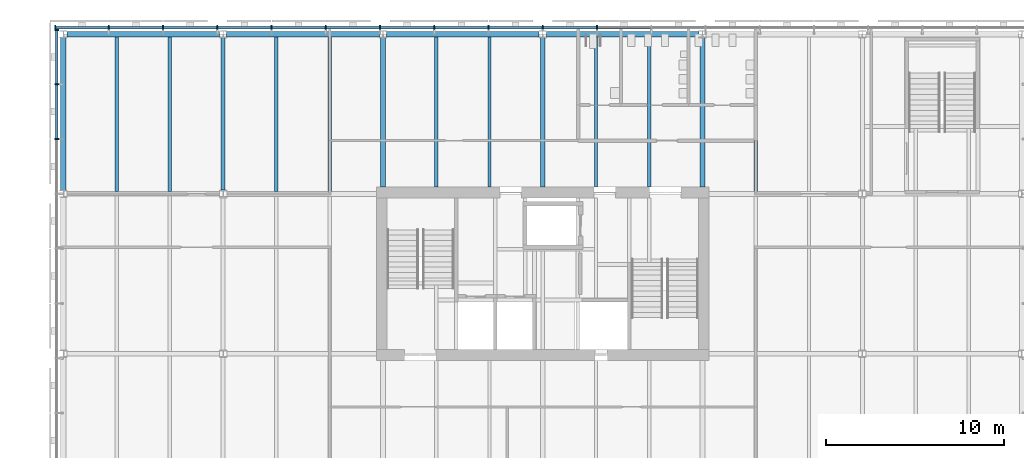
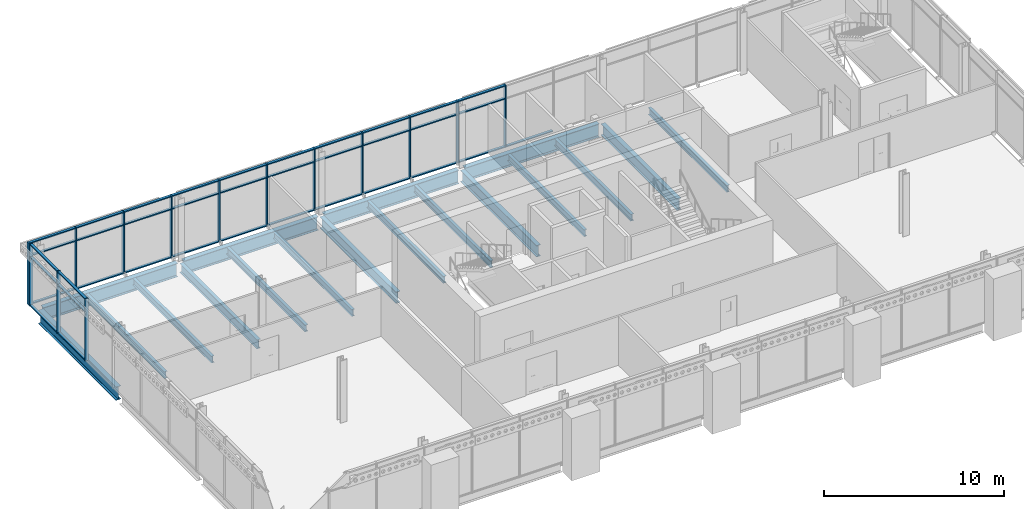
# One storey, part 51 of 123: 51 members, 18 beams, 2 elements without a shape of their own.
"""IFC4 building model written with IfcOpenShell, lengths in metres."""

from ifc_helpers import new_model, si_unit, direction, frame, origin, origin_2d, place, context, subcontext, project, spatial, rectangle, i_section, extrude, material, material_profile, profile_set, type_object, element, aggregate, save


model = new_model("IFC4")

# Units and contexts
model_context = context("Model", 3, precision=1e-05, world=origin(), true_north=direction((0.0, 1.0)))
body_context = subcontext(model_context, "Body", "Model", "MODEL_VIEW")
ifc_project = project(units=[si_unit("LENGTHUNIT", "METRE"), si_unit("AREAUNIT", "SQUARE_METRE"), si_unit("VOLUMEUNIT", "CUBIC_METRE"), si_unit("PLANEANGLEUNIT", "RADIAN"), si_unit("MASSUNIT", "GRAM", prefix="KILO")], contexts=[model_context])

# Site, building, storey
site_placement = place(None, origin())
site = spatial("IfcSite", under=ifc_project, at=site_placement, CompositionType="ELEMENT")
building_placement = place(site_placement, origin())
building = spatial("IfcBuilding", under=site, at=building_placement, Name="Baradari Gate Terminus", CompositionType="ELEMENT")
storey_placement = place(building_placement, frame((0.0, 0.0, 7.5)))
storey = spatial("IfcBuildingStorey", under=building, at=storey_placement, Name="L01", CompositionType="ELEMENT", Elevation=7.5)

# Curtain wall, members
ifc_material_1 = material(Name="Aluminium 6063-T6", Category="aluminium")
curtain_wall_type = type_object("IfcCurtainWallType", Name="Curtain wall CW-9 block gallery storey", PredefinedType="NOTDEFINED", material=ifc_material_1)
curtain_wall_1_placement = place(storey_placement, origin())
curtain_wall_1 = element("IfcCurtainWall", 1, at=curtain_wall_1_placement, inside=storey, type_object=curtain_wall_type, Name="Curtain wall CW-9 Operations block N face L01", PredefinedType="NOTDEFINED")
ifc_material_2 = material(Name="Aluminium 6063-T6", Category="aluminium")
ifc_material_profile_1 = material_profile(ifc_material_2, rectangle(XDim=0.22509765625, YDim=0.070068359375, at=origin_2d()), Name="CM-9 70X225")
ifc_profile_set_1 = profile_set([ifc_material_profile_1], Name="Aluminium 6063-T6")
member_type_1 = type_object("IfcMemberType", Name="Curtain wall mullion CM-9 70x225", PredefinedType="MULLION", material=ifc_profile_set_1)
member_1_placement = place(storey_placement, frame((8.5400390625, 144.382568359375, 0.0), z_axis=(0.0, 0.0, 1.0), x_axis=(0.0, 1.0, 0.0)))
member_1 = element("IfcMember", 2, at=member_1_placement, type_object=member_type_1, Name="CW-9 mullion 1", PredefinedType="MULLION", context=body_context, shape_type="SweptSolid", body=[
    extrude(rectangle(XDim=0.22509765625, YDim=0.070068359375, at=origin_2d()), origin(), (0.0, 0.0, 1.0), 4.199951171875),
])
member_2_placement = place(storey_placement, frame((11.56005859375, 144.382568359375, 0.0), z_axis=(0.0, 0.0, 1.0), x_axis=(0.0, 1.0, 0.0)))
member_2 = element("IfcMember", 3, at=member_2_placement, type_object=member_type_1, Name="CW-9 mullion 2", PredefinedType="MULLION", context=body_context, shape_type="SweptSolid", body=[
    extrude(rectangle(XDim=0.22509765625, YDim=0.070068359375, at=origin_2d()), origin(), (0.0, 0.0, 1.0), 4.199951171875),
])
member_3_placement = place(storey_placement, frame((14.614990234375, 144.382568359375, 0.0), z_axis=(0.0, 0.0, 1.0), x_axis=(0.0, 1.0, 0.0)))
member_3 = element("IfcMember", 4, at=member_3_placement, type_object=member_type_1, Name="CW-9 mullion 3", PredefinedType="MULLION", context=body_context, shape_type="SweptSolid", body=[
    extrude(rectangle(XDim=0.22509765625, YDim=0.070068359375, at=origin_2d()), origin(), (0.0, 0.0, 1.0), 4.199951171875),
])
member_4_placement = place(storey_placement, frame((17.669921875, 144.382568359375, 0.0), z_axis=(0.0, 0.0, 1.0), x_axis=(0.0, 1.0, 0.0)))
member_4 = element("IfcMember", 5, at=member_4_placement, type_object=member_type_1, Name="CW-9 mullion 4", PredefinedType="MULLION", context=body_context, shape_type="SweptSolid", body=[
    extrude(rectangle(XDim=0.22509765625, YDim=0.070068359375, at=origin_2d()), origin(), (0.0, 0.0, 1.0), 4.199951171875),
])
member_5_placement = place(storey_placement, frame((20.72509765625, 144.382568359375, 0.0), z_axis=(0.0, 0.0, 1.0), x_axis=(0.0, 1.0, 0.0)))
member_5 = element("IfcMember", 6, at=member_5_placement, type_object=member_type_1, Name="CW-9 mullion 5", PredefinedType="MULLION", context=body_context, shape_type="SweptSolid", body=[
    extrude(rectangle(XDim=0.22509765625, YDim=0.070068359375, at=origin_2d()), origin(), (0.0, 0.0, 1.0), 4.199951171875),
])
member_6_placement = place(storey_placement, frame((23.780029296875, 144.382568359375, 0.0), z_axis=(0.0, 0.0, 1.0), x_axis=(0.0, 1.0, 0.0)))
member_6 = element("IfcMember", 7, at=member_6_placement, type_object=member_type_1, Name="CW-9 mullion 6", PredefinedType="MULLION", context=body_context, shape_type="SweptSolid", body=[
    extrude(rectangle(XDim=0.22509765625, YDim=0.070068359375, at=origin_2d()), origin(), (0.0, 0.0, 1.0), 4.199951171875),
])
member_7_placement = place(storey_placement, frame((26.8349609375, 144.382568359375, 0.0), z_axis=(0.0, 0.0, 1.0), x_axis=(0.0, 1.0, 0.0)))
member_7 = element("IfcMember", 8, at=member_7_placement, type_object=member_type_1, Name="CW-9 mullion 7", PredefinedType="MULLION", context=body_context, shape_type="SweptSolid", body=[
    extrude(rectangle(XDim=0.22509765625, YDim=0.070068359375, at=origin_2d()), origin(), (0.0, 0.0, 1.0), 4.199951171875),
])
member_8_placement = place(storey_placement, frame((29.889892578125, 144.382568359375, 0.0), z_axis=(0.0, 0.0, 1.0), x_axis=(0.0, 1.0, 0.0)))
member_8 = element("IfcMember", 9, at=member_8_placement, type_object=member_type_1, Name="CW-9 mullion 8", PredefinedType="MULLION", context=body_context, shape_type="SweptSolid", body=[
    extrude(rectangle(XDim=0.22509765625, YDim=0.070068359375, at=origin_2d()), origin(), (0.0, 0.0, 1.0), 4.199951171875),
])
member_9_placement = place(storey_placement, frame((32.945068359375, 144.382568359375, 0.0), z_axis=(0.0, 0.0, 1.0), x_axis=(0.0, 1.0, 0.0)))
member_9 = element("IfcMember", 10, at=member_9_placement, type_object=member_type_1, Name="CW-9 mullion 9", PredefinedType="MULLION", context=body_context, shape_type="SweptSolid", body=[
    extrude(rectangle(XDim=0.22509765625, YDim=0.070068359375, at=origin_2d()), origin(), (0.0, 0.0, 1.0), 4.199951171875),
])
member_10_placement = place(storey_placement, frame((36.0, 144.382568359375, 0.0), z_axis=(0.0, 0.0, 1.0), x_axis=(0.0, 1.0, 0.0)))
member_10 = element("IfcMember", 11, at=member_10_placement, type_object=member_type_1, Name="CW-9 mullion 10", PredefinedType="MULLION", context=body_context, shape_type="SweptSolid", body=[
    extrude(rectangle(XDim=0.22509765625, YDim=0.070068359375, at=origin_2d()), origin(), (0.0, 0.0, 1.0), 4.199951171875),
])
member_11_placement = place(storey_placement, frame((39.054931640625, 144.382568359375, 0.0), z_axis=(0.0, 0.0, 1.0), x_axis=(0.0, 1.0, 0.0)))
member_11 = element("IfcMember", 12, at=member_11_placement, type_object=member_type_1, Name="CW-9 mullion 11", PredefinedType="MULLION", context=body_context, shape_type="SweptSolid", body=[
    extrude(rectangle(XDim=0.22509765625, YDim=0.070068359375, at=origin_2d()), origin(), (0.0, 0.0, 1.0), 4.199951171875),
])

curtain_wall_2_placement = place(storey_placement, origin())
curtain_wall_2 = element("IfcCurtainWall", 13, at=curtain_wall_2_placement, inside=storey, type_object=curtain_wall_type, Name="Curtain wall CW-9 Operations block W face L01", PredefinedType="NOTDEFINED")
member_12_placement = place(storey_placement, frame((8.617431640625, 138.094482421875, 0.0), z_axis=(0.0, 0.0, 1.0), x_axis=(-1.0, 0.0, 0.0)))
member_12 = element("IfcMember", 14, at=member_12_placement, type_object=member_type_1, Name="CW-9 mullion 8", PredefinedType="MULLION", context=body_context, shape_type="SweptSolid", body=[
    extrude(rectangle(XDim=0.22509765625, YDim=0.070068359375, at=origin_2d()), origin(), (0.0, 0.0, 1.0), 4.199951171875),
])
member_13_placement = place(storey_placement, frame((8.617431640625, 141.18212890625, 0.0), z_axis=(0.0, 0.0, 1.0), x_axis=(-1.0, 0.0, 0.0)))
member_13 = element("IfcMember", 15, at=member_13_placement, type_object=member_type_1, Name="CW-9 mullion 9", PredefinedType="MULLION", context=body_context, shape_type="SweptSolid", body=[
    extrude(rectangle(XDim=0.22509765625, YDim=0.070068359375, at=origin_2d()), origin(), (0.0, 0.0, 1.0), 4.199951171875),
])
member_14_placement = place(storey_placement, frame((8.617431640625, 144.235107421875, 0.0), z_axis=(0.0, 0.0, 1.0), x_axis=(-1.0, 0.0, 0.0)))
member_14 = element("IfcMember", 16, at=member_14_placement, type_object=member_type_1, Name="CW-9 mullion 10", PredefinedType="MULLION", context=body_context, shape_type="SweptSolid", body=[
    extrude(rectangle(XDim=0.22509765625, YDim=0.070068359375, at=origin_2d()), origin(), (0.0, 0.0, 1.0), 4.199951171875),
])

# Member
ifc_material_3 = material(Name="Aluminium 6063-T6", Category="aluminium")
ifc_material_profile_2 = material_profile(ifc_material_3, rectangle(XDim=0.1650390625, YDim=0.070068359375, at=origin_2d()), Name="CT-9 70X165")
ifc_profile_set_2 = profile_set([ifc_material_profile_2], Name="Aluminium 6063-T6")
member_type_2 = type_object("IfcMemberType", Name="Curtain wall transom CT-9 70x165", PredefinedType="USERDEFINED", material=ifc_profile_set_2)
member_15_placement = place(storey_placement, frame((8.574951171875, 144.382568359375, 0.034912109375), z_axis=(1.0, 0.0, 0.0), x_axis=(0.0, 1.0, 0.0)))
member_15 = element("IfcMember", 17, at=member_15_placement, type_object=member_type_2, Name="CW-9 transom 1.1", ObjectType="TRANSOM", PredefinedType="USERDEFINED", context=body_context, shape_type="SweptSolid", body=[
    extrude(rectangle(XDim=0.1650390625, YDim=0.070068359375, at=origin_2d()), origin(), (0.0, 0.0, 1.0), 2.949951171875),
])

member_16_placement = place(storey_placement, frame((8.574951171875, 144.382568359375, 3.300048828125), z_axis=(1.0, 0.0, 0.0), x_axis=(0.0, 1.0, 0.0)))
member_16 = element("IfcMember", 18, at=member_16_placement, type_object=member_type_2, Name="CW-9 transom 1.2", ObjectType="TRANSOM", PredefinedType="USERDEFINED", context=body_context, shape_type="SweptSolid", body=[
    extrude(rectangle(XDim=0.1650390625, YDim=0.070068359375, at=origin_2d()), origin(), (0.0, 0.0, 1.0), 2.949951171875),
])

member_17_placement = place(storey_placement, frame((8.574951171875, 144.382568359375, 4.1650390625), z_axis=(1.0, 0.0, 0.0), x_axis=(0.0, 1.0, 0.0)))
member_17 = element("IfcMember", 19, at=member_17_placement, type_object=member_type_2, Name="CW-9 transom 1.3", ObjectType="TRANSOM", PredefinedType="USERDEFINED", context=body_context, shape_type="SweptSolid", body=[
    extrude(rectangle(XDim=0.1650390625, YDim=0.070068359375, at=origin_2d()), origin(), (0.0, 0.0, 1.0), 2.949951171875),
])

member_18_placement = place(storey_placement, frame((11.594970703125, 144.382568359375, 0.034912109375), z_axis=(1.0, 0.0, 0.0), x_axis=(0.0, 1.0, 0.0)))
member_18 = element("IfcMember", 20, at=member_18_placement, type_object=member_type_2, Name="CW-9 transom 2.1", ObjectType="TRANSOM", PredefinedType="USERDEFINED", context=body_context, shape_type="SweptSolid", body=[
    extrude(rectangle(XDim=0.1650390625, YDim=0.070068359375, at=origin_2d()), origin(), (0.0, 0.0, 1.0), 2.985107421875),
])

member_19_placement = place(storey_placement, frame((11.594970703125, 144.382568359375, 3.300048828125), z_axis=(1.0, 0.0, 0.0), x_axis=(0.0, 1.0, 0.0)))
member_19 = element("IfcMember", 21, at=member_19_placement, type_object=member_type_2, Name="CW-9 transom 2.2", ObjectType="TRANSOM", PredefinedType="USERDEFINED", context=body_context, shape_type="SweptSolid", body=[
    extrude(rectangle(XDim=0.1650390625, YDim=0.070068359375, at=origin_2d()), origin(), (0.0, 0.0, 1.0), 2.985107421875),
])

member_20_placement = place(storey_placement, frame((11.594970703125, 144.382568359375, 4.1650390625), z_axis=(1.0, 0.0, 0.0), x_axis=(0.0, 1.0, 0.0)))
member_20 = element("IfcMember", 22, at=member_20_placement, type_object=member_type_2, Name="CW-9 transom 2.3", ObjectType="TRANSOM", PredefinedType="USERDEFINED", context=body_context, shape_type="SweptSolid", body=[
    extrude(rectangle(XDim=0.1650390625, YDim=0.070068359375, at=origin_2d()), origin(), (0.0, 0.0, 1.0), 2.985107421875),
])

member_21_placement = place(storey_placement, frame((14.64990234375, 144.382568359375, 0.034912109375), z_axis=(1.0, 0.0, 0.0), x_axis=(0.0, 1.0, 0.0)))
member_21 = element("IfcMember", 23, at=member_21_placement, type_object=member_type_2, Name="CW-9 transom 3.1", ObjectType="TRANSOM", PredefinedType="USERDEFINED", context=body_context, shape_type="SweptSolid", body=[
    extrude(rectangle(XDim=0.1650390625, YDim=0.070068359375, at=origin_2d()), origin(), (0.0, 0.0, 1.0), 2.985107421875),
])

member_22_placement = place(storey_placement, frame((14.64990234375, 144.382568359375, 3.300048828125), z_axis=(1.0, 0.0, 0.0), x_axis=(0.0, 1.0, 0.0)))
member_22 = element("IfcMember", 24, at=member_22_placement, type_object=member_type_2, Name="CW-9 transom 3.2", ObjectType="TRANSOM", PredefinedType="USERDEFINED", context=body_context, shape_type="SweptSolid", body=[
    extrude(rectangle(XDim=0.1650390625, YDim=0.070068359375, at=origin_2d()), origin(), (0.0, 0.0, 1.0), 2.985107421875),
])

member_23_placement = place(storey_placement, frame((14.64990234375, 144.382568359375, 4.1650390625), z_axis=(1.0, 0.0, 0.0), x_axis=(0.0, 1.0, 0.0)))
member_23 = element("IfcMember", 25, at=member_23_placement, type_object=member_type_2, Name="CW-9 transom 3.3", ObjectType="TRANSOM", PredefinedType="USERDEFINED", context=body_context, shape_type="SweptSolid", body=[
    extrude(rectangle(XDim=0.1650390625, YDim=0.070068359375, at=origin_2d()), origin(), (0.0, 0.0, 1.0), 2.985107421875),
])

member_24_placement = place(storey_placement, frame((17.705078125, 144.382568359375, 0.034912109375), z_axis=(1.0, 0.0, 0.0), x_axis=(0.0, 1.0, 0.0)))
member_24 = element("IfcMember", 26, at=member_24_placement, type_object=member_type_2, Name="CW-9 transom 4.1", ObjectType="TRANSOM", PredefinedType="USERDEFINED", context=body_context, shape_type="SweptSolid", body=[
    extrude(rectangle(XDim=0.1650390625, YDim=0.070068359375, at=origin_2d()), origin(), (0.0, 0.0, 1.0), 2.98486328125),
])

member_25_placement = place(storey_placement, frame((17.705078125, 144.382568359375, 3.300048828125), z_axis=(1.0, 0.0, 0.0), x_axis=(0.0, 1.0, 0.0)))
member_25 = element("IfcMember", 27, at=member_25_placement, type_object=member_type_2, Name="CW-9 transom 4.2", ObjectType="TRANSOM", PredefinedType="USERDEFINED", context=body_context, shape_type="SweptSolid", body=[
    extrude(rectangle(XDim=0.1650390625, YDim=0.070068359375, at=origin_2d()), origin(), (0.0, 0.0, 1.0), 2.98486328125),
])

member_26_placement = place(storey_placement, frame((17.705078125, 144.382568359375, 4.1650390625), z_axis=(1.0, 0.0, 0.0), x_axis=(0.0, 1.0, 0.0)))
member_26 = element("IfcMember", 28, at=member_26_placement, type_object=member_type_2, Name="CW-9 transom 4.3", ObjectType="TRANSOM", PredefinedType="USERDEFINED", context=body_context, shape_type="SweptSolid", body=[
    extrude(rectangle(XDim=0.1650390625, YDim=0.070068359375, at=origin_2d()), origin(), (0.0, 0.0, 1.0), 2.98486328125),
])

member_27_placement = place(storey_placement, frame((20.760009765625, 144.382568359375, 0.034912109375), z_axis=(1.0, 0.0, 0.0), x_axis=(0.0, 1.0, 0.0)))
member_27 = element("IfcMember", 29, at=member_27_placement, type_object=member_type_2, Name="CW-9 transom 5.1", ObjectType="TRANSOM", PredefinedType="USERDEFINED", context=body_context, shape_type="SweptSolid", body=[
    extrude(rectangle(XDim=0.1650390625, YDim=0.070068359375, at=origin_2d()), origin(), (0.0, 0.0, 1.0), 2.985107421875),
])

member_28_placement = place(storey_placement, frame((20.760009765625, 144.382568359375, 3.300048828125), z_axis=(1.0, 0.0, 0.0), x_axis=(0.0, 1.0, 0.0)))
member_28 = element("IfcMember", 30, at=member_28_placement, type_object=member_type_2, Name="CW-9 transom 5.2", ObjectType="TRANSOM", PredefinedType="USERDEFINED", context=body_context, shape_type="SweptSolid", body=[
    extrude(rectangle(XDim=0.1650390625, YDim=0.070068359375, at=origin_2d()), origin(), (0.0, 0.0, 1.0), 2.985107421875),
])

member_29_placement = place(storey_placement, frame((20.760009765625, 144.382568359375, 4.1650390625), z_axis=(1.0, 0.0, 0.0), x_axis=(0.0, 1.0, 0.0)))
member_29 = element("IfcMember", 31, at=member_29_placement, type_object=member_type_2, Name="CW-9 transom 5.3", ObjectType="TRANSOM", PredefinedType="USERDEFINED", context=body_context, shape_type="SweptSolid", body=[
    extrude(rectangle(XDim=0.1650390625, YDim=0.070068359375, at=origin_2d()), origin(), (0.0, 0.0, 1.0), 2.985107421875),
])

member_30_placement = place(storey_placement, frame((23.81494140625, 144.382568359375, 0.034912109375), z_axis=(1.0, 0.0, 0.0), x_axis=(0.0, 1.0, 0.0)))
member_30 = element("IfcMember", 32, at=member_30_placement, type_object=member_type_2, Name="CW-9 transom 6.1", ObjectType="TRANSOM", PredefinedType="USERDEFINED", context=body_context, shape_type="SweptSolid", body=[
    extrude(rectangle(XDim=0.1650390625, YDim=0.070068359375, at=origin_2d()), origin(), (0.0, 0.0, 1.0), 2.985107421875),
])

member_31_placement = place(storey_placement, frame((23.81494140625, 144.382568359375, 3.300048828125), z_axis=(1.0, 0.0, 0.0), x_axis=(0.0, 1.0, 0.0)))
member_31 = element("IfcMember", 33, at=member_31_placement, type_object=member_type_2, Name="CW-9 transom 6.2", ObjectType="TRANSOM", PredefinedType="USERDEFINED", context=body_context, shape_type="SweptSolid", body=[
    extrude(rectangle(XDim=0.1650390625, YDim=0.070068359375, at=origin_2d()), origin(), (0.0, 0.0, 1.0), 2.985107421875),
])

member_32_placement = place(storey_placement, frame((23.81494140625, 144.382568359375, 4.1650390625), z_axis=(1.0, 0.0, 0.0), x_axis=(0.0, 1.0, 0.0)))
member_32 = element("IfcMember", 34, at=member_32_placement, type_object=member_type_2, Name="CW-9 transom 6.3", ObjectType="TRANSOM", PredefinedType="USERDEFINED", context=body_context, shape_type="SweptSolid", body=[
    extrude(rectangle(XDim=0.1650390625, YDim=0.070068359375, at=origin_2d()), origin(), (0.0, 0.0, 1.0), 2.985107421875),
])

member_33_placement = place(storey_placement, frame((26.8701171875, 144.382568359375, 0.034912109375), z_axis=(1.0, 0.0, 0.0), x_axis=(0.0, 1.0, 0.0)))
member_33 = element("IfcMember", 35, at=member_33_placement, type_object=member_type_2, Name="CW-9 transom 7.1", ObjectType="TRANSOM", PredefinedType="USERDEFINED", context=body_context, shape_type="SweptSolid", body=[
    extrude(rectangle(XDim=0.1650390625, YDim=0.070068359375, at=origin_2d()), origin(), (0.0, 0.0, 1.0), 2.98486328125),
])

member_34_placement = place(storey_placement, frame((26.8701171875, 144.382568359375, 3.300048828125), z_axis=(1.0, 0.0, 0.0), x_axis=(0.0, 1.0, 0.0)))
member_34 = element("IfcMember", 36, at=member_34_placement, type_object=member_type_2, Name="CW-9 transom 7.2", ObjectType="TRANSOM", PredefinedType="USERDEFINED", context=body_context, shape_type="SweptSolid", body=[
    extrude(rectangle(XDim=0.1650390625, YDim=0.070068359375, at=origin_2d()), origin(), (0.0, 0.0, 1.0), 2.98486328125),
])

member_35_placement = place(storey_placement, frame((26.8701171875, 144.382568359375, 4.1650390625), z_axis=(1.0, 0.0, 0.0), x_axis=(0.0, 1.0, 0.0)))
member_35 = element("IfcMember", 37, at=member_35_placement, type_object=member_type_2, Name="CW-9 transom 7.3", ObjectType="TRANSOM", PredefinedType="USERDEFINED", context=body_context, shape_type="SweptSolid", body=[
    extrude(rectangle(XDim=0.1650390625, YDim=0.070068359375, at=origin_2d()), origin(), (0.0, 0.0, 1.0), 2.98486328125),
])

member_36_placement = place(storey_placement, frame((29.925048828125, 144.382568359375, 0.034912109375), z_axis=(1.0, 0.0, 0.0), x_axis=(0.0, 1.0, 0.0)))
member_36 = element("IfcMember", 38, at=member_36_placement, type_object=member_type_2, Name="CW-9 transom 8.1", ObjectType="TRANSOM", PredefinedType="USERDEFINED", context=body_context, shape_type="SweptSolid", body=[
    extrude(rectangle(XDim=0.1650390625, YDim=0.070068359375, at=origin_2d()), origin(), (0.0, 0.0, 1.0), 2.98486328125),
])

member_37_placement = place(storey_placement, frame((29.925048828125, 144.382568359375, 3.300048828125), z_axis=(1.0, 0.0, 0.0), x_axis=(0.0, 1.0, 0.0)))
member_37 = element("IfcMember", 39, at=member_37_placement, type_object=member_type_2, Name="CW-9 transom 8.2", ObjectType="TRANSOM", PredefinedType="USERDEFINED", context=body_context, shape_type="SweptSolid", body=[
    extrude(rectangle(XDim=0.1650390625, YDim=0.070068359375, at=origin_2d()), origin(), (0.0, 0.0, 1.0), 2.98486328125),
])

member_38_placement = place(storey_placement, frame((29.925048828125, 144.382568359375, 4.1650390625), z_axis=(1.0, 0.0, 0.0), x_axis=(0.0, 1.0, 0.0)))
member_38 = element("IfcMember", 40, at=member_38_placement, type_object=member_type_2, Name="CW-9 transom 8.3", ObjectType="TRANSOM", PredefinedType="USERDEFINED", context=body_context, shape_type="SweptSolid", body=[
    extrude(rectangle(XDim=0.1650390625, YDim=0.070068359375, at=origin_2d()), origin(), (0.0, 0.0, 1.0), 2.98486328125),
])

member_39_placement = place(storey_placement, frame((32.97998046875, 144.382568359375, 0.034912109375), z_axis=(1.0, 0.0, 0.0), x_axis=(0.0, 1.0, 0.0)))
member_39 = element("IfcMember", 41, at=member_39_placement, type_object=member_type_2, Name="CW-9 transom 9.1", ObjectType="TRANSOM", PredefinedType="USERDEFINED", context=body_context, shape_type="SweptSolid", body=[
    extrude(rectangle(XDim=0.1650390625, YDim=0.070068359375, at=origin_2d()), origin(), (0.0, 0.0, 1.0), 2.985107421875),
])

member_40_placement = place(storey_placement, frame((32.97998046875, 144.382568359375, 3.300048828125), z_axis=(1.0, 0.0, 0.0), x_axis=(0.0, 1.0, 0.0)))
member_40 = element("IfcMember", 42, at=member_40_placement, type_object=member_type_2, Name="CW-9 transom 9.2", ObjectType="TRANSOM", PredefinedType="USERDEFINED", context=body_context, shape_type="SweptSolid", body=[
    extrude(rectangle(XDim=0.1650390625, YDim=0.070068359375, at=origin_2d()), origin(), (0.0, 0.0, 1.0), 2.985107421875),
])

member_41_placement = place(storey_placement, frame((32.97998046875, 144.382568359375, 4.1650390625), z_axis=(1.0, 0.0, 0.0), x_axis=(0.0, 1.0, 0.0)))
member_41 = element("IfcMember", 43, at=member_41_placement, type_object=member_type_2, Name="CW-9 transom 9.3", ObjectType="TRANSOM", PredefinedType="USERDEFINED", context=body_context, shape_type="SweptSolid", body=[
    extrude(rectangle(XDim=0.1650390625, YDim=0.070068359375, at=origin_2d()), origin(), (0.0, 0.0, 1.0), 2.985107421875),
])

member_42_placement = place(storey_placement, frame((36.034912109375, 144.382568359375, 0.034912109375), z_axis=(1.0, 0.0, 0.0), x_axis=(0.0, 1.0, 0.0)))
member_42 = element("IfcMember", 44, at=member_42_placement, type_object=member_type_2, Name="CW-9 transom 10.1", ObjectType="TRANSOM", PredefinedType="USERDEFINED", context=body_context, shape_type="SweptSolid", body=[
    extrude(rectangle(XDim=0.1650390625, YDim=0.070068359375, at=origin_2d()), origin(), (0.0, 0.0, 1.0), 2.985107421875),
])

member_43_placement = place(storey_placement, frame((36.034912109375, 144.382568359375, 3.300048828125), z_axis=(1.0, 0.0, 0.0), x_axis=(0.0, 1.0, 0.0)))
member_43 = element("IfcMember", 45, at=member_43_placement, type_object=member_type_2, Name="CW-9 transom 10.2", ObjectType="TRANSOM", PredefinedType="USERDEFINED", context=body_context, shape_type="SweptSolid", body=[
    extrude(rectangle(XDim=0.1650390625, YDim=0.070068359375, at=origin_2d()), origin(), (0.0, 0.0, 1.0), 2.985107421875),
])

member_44_placement = place(storey_placement, frame((36.034912109375, 144.382568359375, 4.1650390625), z_axis=(1.0, 0.0, 0.0), x_axis=(0.0, 1.0, 0.0)))
member_44 = element("IfcMember", 46, at=member_44_placement, type_object=member_type_2, Name="CW-9 transom 10.3", ObjectType="TRANSOM", PredefinedType="USERDEFINED", context=body_context, shape_type="SweptSolid", body=[
    extrude(rectangle(XDim=0.1650390625, YDim=0.070068359375, at=origin_2d()), origin(), (0.0, 0.0, 1.0), 2.985107421875),
])

member_45_placement = place(storey_placement, frame((39.090087890625, 144.382568359375, 0.034912109375), z_axis=(1.0, 0.0, 0.0), x_axis=(0.0, 1.0, 0.0)))
member_45 = element("IfcMember", 47, at=member_45_placement, type_object=member_type_2, Name="CW-9 transom 11.1", ObjectType="TRANSOM", PredefinedType="USERDEFINED", context=body_context, shape_type="SweptSolid", body=[
    extrude(rectangle(XDim=0.1650390625, YDim=0.070068359375, at=origin_2d()), origin(), (0.0, 0.0, 1.0), 2.98486328125),
])

aggregate(curtain_wall_1, [member_1, member_2, member_3, member_4, member_5, member_6, member_7, member_8, member_9, member_10, member_11, member_15, member_16, member_17, member_18, member_19, member_20, member_21, member_22, member_23, member_24, member_25, member_26, member_27, member_28, member_29, member_30, member_31, member_32, member_33, member_34, member_35, member_36, member_37, member_38, member_39, member_40, member_41, member_42, member_43, member_44, member_45])

member_46_placement = place(storey_placement, frame((8.617431640625, 138.12939453125, 0.034912109375), z_axis=(0.0, 1.0, 0.0), x_axis=(-1.0, 0.0, 0.0)))
member_46 = element("IfcMember", 48, at=member_46_placement, type_object=member_type_2, Name="CW-9 transom 8.1", ObjectType="TRANSOM", PredefinedType="USERDEFINED", context=body_context, shape_type="SweptSolid", body=[
    extrude(rectangle(XDim=0.1650390625, YDim=0.070068359375, at=origin_2d()), origin(), (0.0, 0.0, 1.0), 3.017822265625),
])

member_47_placement = place(storey_placement, frame((8.617431640625, 138.12939453125, 3.300048828125), z_axis=(0.0, 1.0, 0.0), x_axis=(-1.0, 0.0, 0.0)))
member_47 = element("IfcMember", 49, at=member_47_placement, type_object=member_type_2, Name="CW-9 transom 8.2", ObjectType="TRANSOM", PredefinedType="USERDEFINED", context=body_context, shape_type="SweptSolid", body=[
    extrude(rectangle(XDim=0.1650390625, YDim=0.070068359375, at=origin_2d()), origin(), (0.0, 0.0, 1.0), 3.017822265625),
])

member_48_placement = place(storey_placement, frame((8.617431640625, 138.12939453125, 4.1650390625), z_axis=(0.0, 1.0, 0.0), x_axis=(-1.0, 0.0, 0.0)))
member_48 = element("IfcMember", 50, at=member_48_placement, type_object=member_type_2, Name="CW-9 transom 8.3", ObjectType="TRANSOM", PredefinedType="USERDEFINED", context=body_context, shape_type="SweptSolid", body=[
    extrude(rectangle(XDim=0.1650390625, YDim=0.070068359375, at=origin_2d()), origin(), (0.0, 0.0, 1.0), 3.017822265625),
])

member_49_placement = place(storey_placement, frame((8.617431640625, 141.21728515625, 0.034912109375), z_axis=(0.0, 1.0, 0.0), x_axis=(-1.0, 0.0, 0.0)))
member_49 = element("IfcMember", 51, at=member_49_placement, type_object=member_type_2, Name="CW-9 transom 9.1", ObjectType="TRANSOM", PredefinedType="USERDEFINED", context=body_context, shape_type="SweptSolid", body=[
    extrude(rectangle(XDim=0.1650390625, YDim=0.070068359375, at=origin_2d()), origin(), (0.0, 0.0, 1.0), 2.982666015625),
])

member_50_placement = place(storey_placement, frame((8.617431640625, 141.21728515625, 3.300048828125), z_axis=(0.0, 1.0, 0.0), x_axis=(-1.0, 0.0, 0.0)))
member_50 = element("IfcMember", 52, at=member_50_placement, type_object=member_type_2, Name="CW-9 transom 9.2", ObjectType="TRANSOM", PredefinedType="USERDEFINED", context=body_context, shape_type="SweptSolid", body=[
    extrude(rectangle(XDim=0.1650390625, YDim=0.070068359375, at=origin_2d()), origin(), (0.0, 0.0, 1.0), 2.982666015625),
])

member_51_placement = place(storey_placement, frame((8.617431640625, 141.21728515625, 4.1650390625), z_axis=(0.0, 1.0, 0.0), x_axis=(-1.0, 0.0, 0.0)))
member_51 = element("IfcMember", 53, at=member_51_placement, type_object=member_type_2, Name="CW-9 transom 9.3", ObjectType="TRANSOM", PredefinedType="USERDEFINED", context=body_context, shape_type="SweptSolid", body=[
    extrude(rectangle(XDim=0.1650390625, YDim=0.070068359375, at=origin_2d()), origin(), (0.0, 0.0, 1.0), 2.982666015625),
])

aggregate(curtain_wall_2, [member_12, member_13, member_14, member_46, member_47, member_48, member_49, member_50, member_51])

# Beams
ifc_material_4 = material(Name="Steel S355", Category="steel")
ifc_material_profile_3 = material_profile(ifc_material_4, i_section(OverallWidth=0.26806640625, OverallDepth=0.769775390625, WebThickness=0.015625, FlangeThickness=0.025390625, FilletRadius=0.0166015625, at=origin_2d()), Name="UB 762x267x197")
ifc_profile_set_3 = profile_set([ifc_material_profile_3], Name="Steel S355")
beam_type_1 = type_object("IfcBeamType", Name="Operations block coupling beam B03 UB 762x267x197", PredefinedType="BEAM", material=ifc_profile_set_3)
for number, where, z_axis, x_axis, name in (
    (54, (27.0, 135.375, -0.514892578125), (0.0, 1.0, 0.0), (-1.0, 0.0, 0.0), "Operations block coupling beam B03 4:135.375-143.803 L01"),
    (55, (36.0, 135.375, -0.514892578125), (0.0, 1.0, 0.0), (-1.0, 0.0, 0.0), "Operations block coupling beam B03 5:135.375-143.803 L01"),
    (56, (45.0, 135.375, -0.514892578125), (0.0, 1.0, 0.0), (-1.0, 0.0, 0.0), "Operations block coupling beam B03 6:135.375-143.803 L01"),
):
    element("IfcBeam", number, at=place(storey_placement, frame(where, z_axis=z_axis, x_axis=x_axis)), inside=storey, type_object=beam_type_1, Name=name, PredefinedType="BEAM", context=body_context, shape_type="SweptSolid", body=[
        extrude(i_section(OverallWidth=0.26806640625, OverallDepth=0.769775390625, WebThickness=0.015625, FlangeThickness=0.025390625, FilletRadius=0.0166015625, at=origin_2d()), origin(), (0.0, 0.0, 1.0), 8.42822265625),
    ])
ifc_material_5 = material(Name="Steel S355", Category="steel")
ifc_material_profile_4 = material_profile(ifc_material_5, i_section(OverallWidth=0.2275390625, OverallDepth=0.6025390625, WebThickness=0.010498046875, FlangeThickness=0.014892578125, FilletRadius=0.0126953125, at=origin_2d()), Name="UB 610x229x101")
ifc_profile_set_4 = profile_set([ifc_material_profile_4], Name="Steel S355")
beam_type_2 = type_object("IfcBeamType", Name="Operations block girder B06 UB 610x229x101", PredefinedType="BEAM", material=ifc_profile_set_4)
beam_1_placement = place(storey_placement, frame((18.0, 135.21826171875, -0.431396484375), z_axis=(0.0, 1.0, 0.0), x_axis=(-1.0, 0.0, 0.0)))
element("IfcBeam", 57, at=beam_1_placement, inside=storey, type_object=beam_type_2, Name="Operations block girder B06 3:135.218-143.803 L01", PredefinedType="BEAM", context=body_context, shape_type="SweptSolid", body=[
    extrude(i_section(OverallWidth=0.2275390625, OverallDepth=0.6025390625, WebThickness=0.010498046875, FlangeThickness=0.014892578125, FilletRadius=0.0126953125, at=origin_2d()), origin(), (0.0, 0.0, 1.0), 8.5849609375),
])
ifc_material_6 = material(Name="Steel S355", Category="steel")
ifc_material_profile_5 = material_profile(ifc_material_6, i_section(OverallWidth=0.30419921875, OverallDepth=0.910400390625, WebThickness=0.015869140625, FlangeThickness=0.02392578125, FilletRadius=0.01904296875, at=origin_2d()), Name="UB 914x305x224")
ifc_profile_set_5 = profile_set([ifc_material_profile_5], Name="Steel S355")
beam_type_3 = type_object("IfcBeamType", Name="Operations block moment frame beam B01 UB 914x305x224", PredefinedType="BEAM", material=ifc_profile_set_5)
for number, where, z_axis, x_axis, name in (
    (58, (9.199462890625, 144.0, -0.585205078125), (1.0, 0.0, 0.0), (0.0, 1.0, 0.0), "Operations block moment frame beam B01 S:9.2-17.8 L01"),
    (59, (18.199462890625, 144.0, -0.585205078125), (1.0, 0.0, 0.0), (0.0, 1.0, 0.0), "Operations block moment frame beam B01 S:18.2-26.8 L01"),
    (60, (27.199462890625, 144.0, -0.585205078125), (1.0, 0.0, 0.0), (0.0, 1.0, 0.0), "Operations block moment frame beam B01 S:27.2-35.8 L01"),
    (61, (36.199462890625, 144.0, -0.585205078125), (1.0, 0.0, 0.0), (0.0, 1.0, 0.0), "Operations block moment frame beam B01 S:36.2-44.8 L01"),
):
    element("IfcBeam", number, at=place(storey_placement, frame(where, z_axis=z_axis, x_axis=x_axis)), inside=storey, type_object=beam_type_3, Name=name, PredefinedType="BEAM", context=body_context, shape_type="SweptSolid", body=[
        extrude(i_section(OverallWidth=0.30419921875, OverallDepth=0.910400390625, WebThickness=0.015869140625, FlangeThickness=0.02392578125, FilletRadius=0.01904296875, at=origin_2d()), origin(), (0.0, 0.0, 1.0), 8.60107421875),
    ])
beam_2_placement = place(storey_placement, frame((9.0, 135.19677734375, -0.585205078125), z_axis=(0.0, 1.0, 0.0), x_axis=(-1.0, 0.0, 0.0)))
element("IfcBeam", 62, at=beam_2_placement, inside=storey, type_object=beam_type_3, Name="Operations block moment frame beam B01 2:135.197-143.803 L01", PredefinedType="BEAM", context=body_context, shape_type="SweptSolid", body=[
    extrude(i_section(OverallWidth=0.30419921875, OverallDepth=0.910400390625, WebThickness=0.015869140625, FlangeThickness=0.02392578125, FilletRadius=0.01904296875, at=origin_2d()), origin(), (0.0, 0.0, 1.0), 8.6064453125),
])
ifc_material_7 = material(Name="Steel S355", Category="steel")
ifc_material_profile_6 = material_profile(ifc_material_7, i_section(OverallWidth=0.19140625, OverallDepth=0.4599609375, WebThickness=0.010009765625, FlangeThickness=0.01611328125, FilletRadius=0.01025390625, at=origin_2d()), Name="UB 457x191x82")
ifc_profile_set_6 = profile_set([ifc_material_profile_6], Name="Steel S355")
beam_type_4 = type_object("IfcBeamType", Name="Operations block secondary beam B05 UB 457x191x82", PredefinedType="BEAM", material=ifc_profile_set_6)
for number, where, z_axis, x_axis, name in (
    (63, (12.0, 135.12646484375, -0.360107421875), (0.0, 1.0, 0.0), (-1.0, 0.0, 0.0), "Operations block secondary beam B05 12:135.126-143.848 L01"),
    (64, (15.0, 135.12646484375, -0.360107421875), (0.0, 1.0, 0.0), (-1.0, 0.0, 0.0), "Operations block secondary beam B05 15:135.126-143.848 L01"),
):
    element("IfcBeam", number, at=place(storey_placement, frame(where, z_axis=z_axis, x_axis=x_axis)), inside=storey, type_object=beam_type_4, Name=name, PredefinedType="BEAM", context=body_context, shape_type="SweptSolid", body=[
        extrude(i_section(OverallWidth=0.19140625, OverallDepth=0.4599609375, WebThickness=0.010009765625, FlangeThickness=0.01611328125, FilletRadius=0.01025390625, at=origin_2d()), origin(), (0.0, 0.0, 1.0), 8.721435546875),
    ])
for number, where, z_axis, x_axis, name in (
    (65, (21.0, 135.134033203125, -0.360107421875), (0.0, 1.0, 0.0), (-1.0, 0.0, 0.0), "Operations block secondary beam B05 21:135.134-143.848 L01"),
    (66, (24.0, 135.134033203125, -0.360107421875), (0.0, 1.0, 0.0), (-1.0, 0.0, 0.0), "Operations block secondary beam B05 24:135.134-143.848 L01"),
):
    element("IfcBeam", number, at=place(storey_placement, frame(where, z_axis=z_axis, x_axis=x_axis)), inside=storey, type_object=beam_type_4, Name=name, PredefinedType="BEAM", context=body_context, shape_type="SweptSolid", body=[
        extrude(i_section(OverallWidth=0.19140625, OverallDepth=0.4599609375, WebThickness=0.010009765625, FlangeThickness=0.01611328125, FilletRadius=0.01025390625, at=origin_2d()), origin(), (0.0, 0.0, 1.0), 8.7138671875),
    ])
for number, where, z_axis, x_axis, name in (
    (67, (30.0, 135.375, -0.360107421875), (0.0, 1.0, 0.0), (-1.0, 0.0, 0.0), "Operations block secondary beam B05 30:135.375-143.848 L01"),
    (68, (33.0, 135.375, -0.360107421875), (0.0, 1.0, 0.0), (-1.0, 0.0, 0.0), "Operations block secondary beam B05 33:135.375-143.848 L01"),
    (69, (39.0, 135.375, -0.360107421875), (0.0, 1.0, 0.0), (-1.0, 0.0, 0.0), "Operations block secondary beam B05 39:135.375-143.848 L01"),
    (70, (42.0, 135.375, -0.360107421875), (0.0, 1.0, 0.0), (-1.0, 0.0, 0.0), "Operations block secondary beam B05 42:135.375-143.848 L01"),
):
    element("IfcBeam", number, at=place(storey_placement, frame(where, z_axis=z_axis, x_axis=x_axis)), inside=storey, type_object=beam_type_4, Name=name, PredefinedType="BEAM", context=body_context, shape_type="SweptSolid", body=[
        extrude(i_section(OverallWidth=0.19140625, OverallDepth=0.4599609375, WebThickness=0.010009765625, FlangeThickness=0.01611328125, FilletRadius=0.01025390625, at=origin_2d()), origin(), (0.0, 0.0, 1.0), 8.472900390625),
    ])
beam_3_placement = place(storey_placement, frame((48.0, 135.134033203125, -0.360107421875), z_axis=(0.0, 1.0, 0.0), x_axis=(-1.0, 0.0, 0.0)))
element("IfcBeam", 71, at=beam_3_placement, inside=storey, type_object=beam_type_4, Name="Operations block secondary beam B05 48:135.134-143.848 L01", PredefinedType="BEAM", context=body_context, shape_type="SweptSolid", body=[
    extrude(i_section(OverallWidth=0.19140625, OverallDepth=0.4599609375, WebThickness=0.010009765625, FlangeThickness=0.01611328125, FilletRadius=0.01025390625, at=origin_2d()), origin(), (0.0, 0.0, 1.0), 8.7138671875),
])

save(model, "model.ifc")
